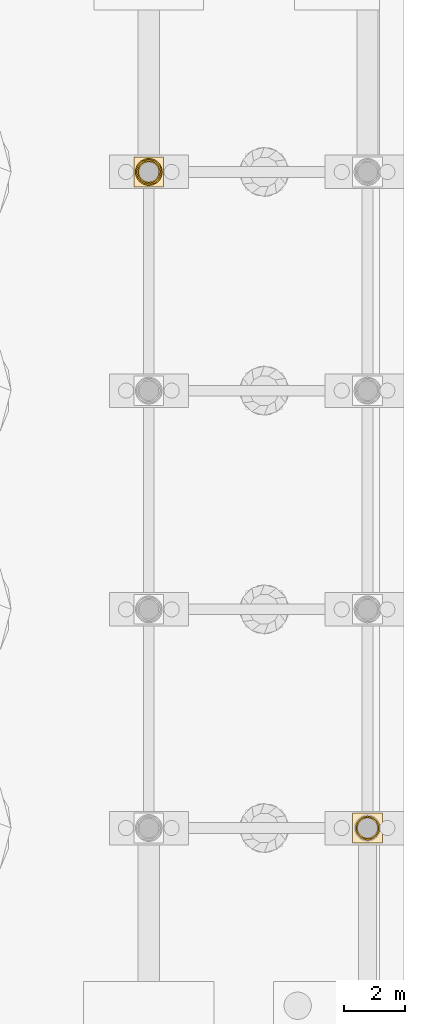
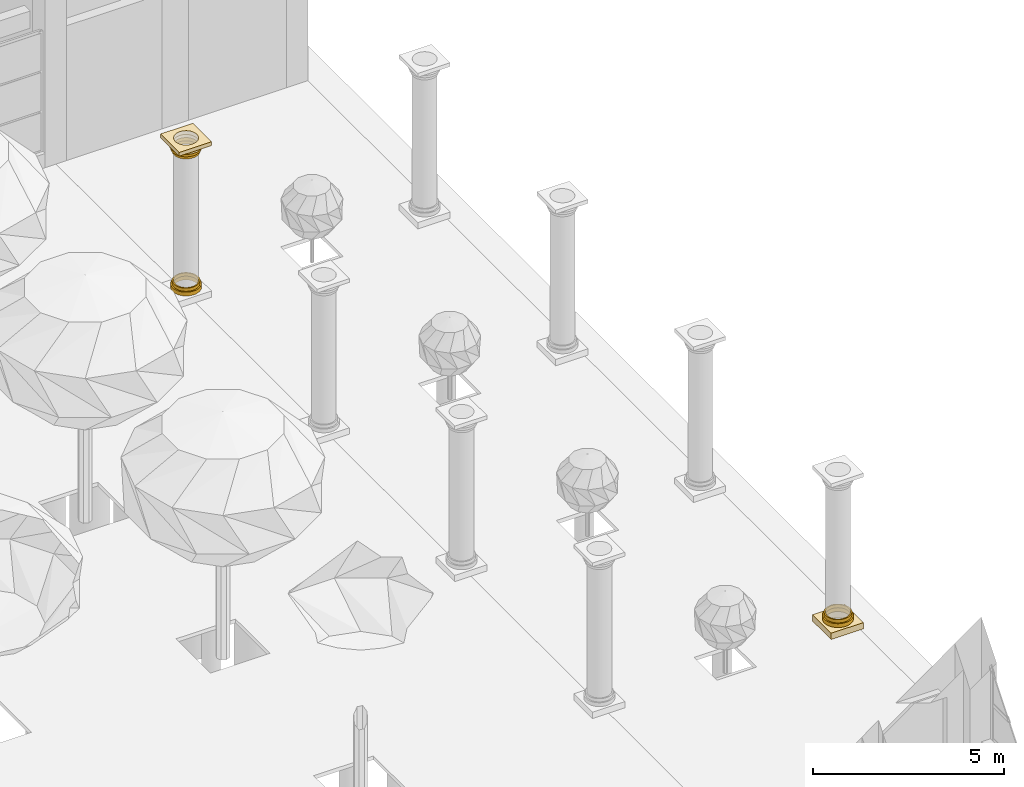
# One storey, part 66 of 80: 9 coverings.
"""IFC4 building model written with IfcOpenShell, lengths in metres."""

import ifcopenshell
import ifcopenshell.guid

model = None  # the IFC model being written
_history = None  # IfcOwnerHistory: only IFC2X3 demands one
_inside = {}  # id of a spatial element -> (the spatial element, [elements in it])
_under = {}  # id of a project, library or spatial element -> (it, [spatial elements below it])
_declared = {}  # id of a project -> (the project, [libraries it declares])
_typed = {}  # id of a type object -> (the type object, [elements of that type])
_made_of = {}  # id of a material, layer set ... -> (it, [elements and type objects made of it])


def new_model(schema):
    """Start an empty IFC model of exactly this schema.

    Asked for "IFC4X3", IfcOpenShell would pick the latest addendum, in which some entities
    have other attributes; the version numbers below select the first issue.
    IFC2X3 requires an IfcOwnerHistory on every rooted entity: one is made here for all.
    """
    global model, _history
    if schema == "IFC4X3":
        model = ifcopenshell.file(schema_version=(4, 3, 0, 0))
    else:
        model = ifcopenshell.file(schema=schema)
    _inside.clear()
    _under.clear()
    _declared.clear()
    _typed.clear()
    _made_of.clear()
    _history = None
    if model.schema == "IFC2X3":
        org = make("IfcOrganization", Name="unknown")
        user = make(
            "IfcPersonAndOrganization",
            ThePerson=make("IfcPerson", FamilyName="unknown"),
            TheOrganization=org,
        )
        app = make(
            "IfcApplication",
            ApplicationDeveloper=org,
            Version="unknown",
            ApplicationFullName="unknown",
            ApplicationIdentifier="unknown",
        )
        _history = make(
            "IfcOwnerHistory",
            OwningUser=user,
            OwningApplication=app,
            ChangeAction="ADDED",
            CreationDate=0,
        )
    return model


def make(cls, **values):
    """One entity of the class cls with the attributes given. An attribute that is None is left unset."""
    return model.create_entity(
        cls, **{name: value for name, value in values.items() if value is not None}
    )


def rooted(cls, **values):
    """An entity with a GlobalId (a new one), such as an element, a storey or a relation."""
    return make(cls, GlobalId=ifcopenshell.guid.new(), OwnerHistory=_history, **values)


def si_unit(unit_type, name, prefix=None):
    """IfcSIUnit, for example si_unit("LENGTHUNIT", "METRE", prefix="MILLI")."""
    return make("IfcSIUnit", UnitType=unit_type, Prefix=prefix, Name=name)


def assignment(units):
    """IfcUnitAssignment: the units of a project."""
    return None if units is None else make("IfcUnitAssignment", Units=units)


def point(xyz):
    """IfcCartesianPoint."""
    return None if xyz is None else make("IfcCartesianPoint", Coordinates=xyz)


def direction(xyz):
    """IfcDirection."""
    return None if xyz is None else make("IfcDirection", DirectionRatios=xyz)


def frame(location, z_axis=None, x_axis=None):
    """IfcAxis2Placement3D, a coordinate frame: its origin and axes. An axis left out is left unset."""
    return make(
        "IfcAxis2Placement3D",
        Location=point(location),
        Axis=direction(z_axis),
        RefDirection=direction(x_axis),
    )


def origin():
    """The frame at (0, 0, 0) with its axes left unset."""
    return frame((0.0, 0.0, 0.0))


def place(relative_to, where):
    """IfcLocalPlacement: puts the frame where relative to a parent placement (None: the world)."""
    return make(
        "IfcLocalPlacement", PlacementRelTo=relative_to, RelativePlacement=where
    )


def context(
    kind, dimensions, precision=None, world=None, true_north=None, identifier=None
):
    """IfcGeometricRepresentationContext, for example the 3D "Model" context."""
    return make(
        "IfcGeometricRepresentationContext",
        ContextIdentifier=identifier,
        ContextType=kind,
        CoordinateSpaceDimension=dimensions,
        Precision=precision,
        WorldCoordinateSystem=world,
        TrueNorth=true_north,
    )


def subcontext(parent, identifier, kind, view, scale=None):
    """IfcGeometricRepresentationSubContext, for example "Body" below "Model"."""
    return make(
        "IfcGeometricRepresentationSubContext",
        ContextIdentifier=identifier,
        ContextType=kind,
        ParentContext=parent,
        TargetScale=scale,
        TargetView=view,
    )


def project(units=None, contexts=None):
    """IfcProject with its units and contexts."""
    return rooted(
        "IfcProject",
        Name="project",
        RepresentationContexts=contexts,
        UnitsInContext=assignment(units),
    )


def spatial(cls, under=None, at=None, **own):
    """A site, building, storey or space (cls), placed at a placement, below another one or the project."""
    s = rooted(cls, ObjectPlacement=at, **own)
    if under is not None:
        _under.setdefault(under.id(), (under, []))[1].append(s)
    return s


def polyline(points):
    """IfcPolyline through the points."""
    return make("IfcPolyline", Points=[point(p) for p in points])


def outline(outer, holes=None, kind="AREA"):
    """IfcArbitraryClosedProfileDef: a profile drawn as a closed curve; with holes, ...WithVoids."""
    if holes is None:
        return make("IfcArbitraryClosedProfileDef", ProfileType=kind, OuterCurve=outer)
    return make(
        "IfcArbitraryProfileDefWithVoids",
        ProfileType=kind,
        OuterCurve=outer,
        InnerCurves=holes,
    )


def extrude(swept, where, along, depth):
    """IfcExtrudedAreaSolid: the profile swept, set in the frame where, extruded along a direction by depth."""
    return make(
        "IfcExtrudedAreaSolid",
        SweptArea=swept,
        Position=where,
        ExtrudedDirection=direction(along),
        Depth=depth,
    )


def shape(context_of_items, identifier, shape_type, items):
    """IfcShapeRepresentation: the items that make up one representation, for example the "Body"."""
    return make(
        "IfcShapeRepresentation",
        ContextOfItems=context_of_items,
        RepresentationIdentifier=identifier,
        RepresentationType=shape_type,
        Items=items,
    )


def material(Name=None, Category=None):
    """IfcMaterial."""
    return make("IfcMaterial", Name=Name, Category=Category)


def made_of(thing, what):
    """Note that an element or type object is made of a material, layer set ...; save() writes the relation."""
    if what is not None:
        _made_of.setdefault(what.id(), (what, []))[1].append(thing)
    return thing


def type_object(cls, material=None, **own):
    """A type object (cls), such as IfcWallType, which elements share."""
    return made_of(rooted(cls, **own), material)


def element(
    cls,
    number,
    at=None,
    inside=None,
    cuts=None,
    type_object=None,
    material=None,
    context=None,
    identifier="Body",
    shape_type=None,
    held_by="IfcProductDefinitionShape",
    body=None,
    shapes=None,
    **own,
):
    """One element of the class cls, such as IfcWall. Its Tag is "e" and its number.

    at: its placement. inside: the storey or other place that contains it. cuts: it is an
    opening in that element (IfcRelVoidsElement). A single representation is given by context,
    identifier, shape_type and body (its items); several are given by shapes. held_by: the class
    of the entity that holds the representations. save() writes the other relations.
    """
    e = rooted(cls, Tag="e%d" % number, ObjectPlacement=at, **own)
    if body is not None:
        shapes = [shape(context, identifier, shape_type, body)]
    if shapes is not None:
        e.Representation = make(held_by, Representations=shapes)
    if inside is not None:
        _inside.setdefault(inside.id(), (inside, []))[1].append(e)
    if cuts is not None:
        rooted(
            "IfcRelVoidsElement", RelatingBuildingElement=cuts, RelatedOpeningElement=e
        )
    if type_object is not None:
        _typed.setdefault(type_object.id(), (type_object, []))[1].append(e)
    return made_of(e, material)


def aggregate(whole, parts):
    """IfcRelAggregates: a whole, such as a stair, and the parts it consists of."""
    return rooted("IfcRelAggregates", RelatingObject=whole, RelatedObjects=parts)


def save(model, path):
    """Write the relations noted so far, then the file.

    IfcRelAggregates (storeys below a building ...), IfcRelContainedInSpatialStructure (elements
    in a storey), IfcRelDefinesByType, IfcRelAssociatesMaterial and IfcRelDeclares: one each for
    every whole, place, type object, material and project.
    """
    for whole, parts in _under.values():
        aggregate(whole, parts)
    for where, things in _inside.values():
        rooted(
            "IfcRelContainedInSpatialStructure",
            RelatedElements=things,
            RelatingStructure=where,
        )
    for kind, things in _typed.values():
        rooted("IfcRelDefinesByType", RelatedObjects=things, RelatingType=kind)
    for what, things in _made_of.values():
        rooted("IfcRelAssociatesMaterial", RelatedObjects=things, RelatingMaterial=what)
    for by, libraries in _declared.values():
        rooted("IfcRelDeclares", RelatingContext=by, RelatedDefinitions=libraries)
    model.write(path)


model = new_model("IFC4")

# Units and contexts
model_context = context("Model", 3, precision=1e-05, world=origin(), true_north=direction((0.0, 1.0)))
body_context = subcontext(model_context, "Body", "Model", "MODEL_VIEW")
ifc_project = project(units=[si_unit("LENGTHUNIT", "METRE"), si_unit("AREAUNIT", "SQUARE_METRE"), si_unit("VOLUMEUNIT", "CUBIC_METRE"), si_unit("PLANEANGLEUNIT", "RADIAN"), si_unit("MASSUNIT", "GRAM", prefix="KILO")], contexts=[model_context])

# Site, building, storey
site_placement = place(None, origin())
site = spatial("IfcSite", under=ifc_project, at=site_placement, CompositionType="ELEMENT")
building_placement = place(site_placement, origin())
building = spatial("IfcBuilding", under=site, at=building_placement, Name="Ussher Court Research Institute", CompositionType="ELEMENT")
storey_placement = place(building_placement, origin())
storey = spatial("IfcBuildingStorey", under=building, at=storey_placement, Name="L00", CompositionType="ELEMENT", Elevation=0.0)

# Coverings
ifc_material_1 = material(Name="Limestone cornice", Category="masonry")
covering_type_1 = type_object("IfcCoveringType", Name="Column abacus 650 975x120", PredefinedType="CLADDING", material=ifc_material_1)
covering_1_placement = place(storey_placement, frame((0.0, 0.0, 4.840087890625)))
element("IfcCovering", 1, at=covering_1_placement, inside=storey, type_object=covering_type_1, Name="Column capital CC26", PredefinedType="CLADDING", context=body_context, shape_type="SweptSolid", body=[
    extrude(outline(polyline([(97.08740234375, 61.112548828125), (97.08740234375, 62.08740234375), (96.112548828125, 62.08740234375), (96.112548828125, 61.112548828125), (97.08740234375, 61.112548828125)]), holes=[polyline([(96.92578125, 61.60009765625), (96.9228515625, 61.642578125), (96.91455078125, 61.684326171875), (96.90087890625, 61.724609375), (96.882080078125, 61.7626953125), (96.8583984375, 61.79833984375), (96.830322265625, 61.830322265625), (96.79833984375, 61.8583984375), (96.7626953125, 61.882080078125), (96.724609375, 61.90087890625), (96.684326171875, 61.91455078125), (96.642578125, 61.9228515625), (96.60009765625, 61.92578125), (96.5576171875, 61.9228515625), (96.515625, 61.91455078125), (96.475341796875, 61.90087890625), (96.437255859375, 61.882080078125), (96.401611328125, 61.8583984375), (96.36962890625, 61.830322265625), (96.341552734375, 61.79833984375), (96.31787109375, 61.7626953125), (96.299072265625, 61.724609375), (96.285400390625, 61.684326171875), (96.277099609375, 61.642578125), (96.2744140625, 61.60009765625), (96.277099609375, 61.5576171875), (96.285400390625, 61.515625), (96.299072265625, 61.475341796875), (96.31787109375, 61.437255859375), (96.341552734375, 61.401611328125), (96.36962890625, 61.36962890625), (96.401611328125, 61.341552734375), (96.437255859375, 61.31787109375), (96.475341796875, 61.299072265625), (96.515625, 61.285400390625), (96.5576171875, 61.277099609375), (96.60009765625, 61.2744140625), (96.642578125, 61.277099609375), (96.684326171875, 61.285400390625), (96.724609375, 61.299072265625), (96.7626953125, 61.31787109375), (96.79833984375, 61.341552734375), (96.830322265625, 61.36962890625), (96.8583984375, 61.401611328125), (96.882080078125, 61.437255859375), (96.90087890625, 61.475341796875), (96.91455078125, 61.515625), (96.9228515625, 61.5576171875), (96.92578125, 61.60009765625)])]), origin(), (0.0, 0.0, 1.0), 0.119873046875),
])
ifc_material_2 = material(Name="Limestone cornice", Category="masonry")
covering_type_2 = type_object("IfcCoveringType", Name="Column base fillet 650 728x100", PredefinedType="CLADDING", material=ifc_material_2)
covering_2_placement = place(storey_placement, frame((0.0, 0.0, 0.320068359375)))
element("IfcCovering", 2, at=covering_2_placement, inside=storey, type_object=covering_type_2, Name="Column base CC22", PredefinedType="CLADDING", context=body_context, shape_type="SweptSolid", body=[
    extrude(outline(polyline([(96.964111328125, 61.60009765625), (96.9609375, 61.6474609375), (96.95166015625, 61.694091796875), (96.936279296875, 61.7392578125), (96.915283203125, 61.781982421875), (96.888916015625, 61.821533203125), (96.857421875, 61.857421875), (96.821533203125, 61.888916015625), (96.781982421875, 61.915283203125), (96.7392578125, 61.936279296875), (96.694091796875, 61.95166015625), (96.6474609375, 61.9609375), (96.60009765625, 61.964111328125), (96.552490234375, 61.9609375), (96.505859375, 61.95166015625), (96.460693359375, 61.936279296875), (96.41796875, 61.915283203125), (96.37841796875, 61.888916015625), (96.342529296875, 61.857421875), (96.311279296875, 61.821533203125), (96.284912109375, 61.781982421875), (96.263671875, 61.7392578125), (96.248291015625, 61.694091796875), (96.239013671875, 61.6474609375), (96.236083984375, 61.60009765625), (96.239013671875, 61.552490234375), (96.248291015625, 61.505859375), (96.263671875, 61.460693359375), (96.284912109375, 61.41796875), (96.311279296875, 61.37841796875), (96.342529296875, 61.342529296875), (96.37841796875, 61.311279296875), (96.41796875, 61.284912109375), (96.460693359375, 61.263671875), (96.505859375, 61.248291015625), (96.552490234375, 61.239013671875), (96.60009765625, 61.236083984375), (96.6474609375, 61.239013671875), (96.694091796875, 61.248291015625), (96.7392578125, 61.263671875), (96.781982421875, 61.284912109375), (96.821533203125, 61.311279296875), (96.857421875, 61.342529296875), (96.888916015625, 61.37841796875), (96.915283203125, 61.41796875), (96.936279296875, 61.460693359375), (96.95166015625, 61.505859375), (96.9609375, 61.552490234375), (96.964111328125, 61.60009765625)]), holes=[polyline([(96.92578125, 61.60009765625), (96.9228515625, 61.642578125), (96.91455078125, 61.684326171875), (96.90087890625, 61.724609375), (96.882080078125, 61.7626953125), (96.8583984375, 61.79833984375), (96.830322265625, 61.830322265625), (96.79833984375, 61.8583984375), (96.7626953125, 61.882080078125), (96.724609375, 61.90087890625), (96.684326171875, 61.91455078125), (96.642578125, 61.9228515625), (96.60009765625, 61.92578125), (96.5576171875, 61.9228515625), (96.515625, 61.91455078125), (96.475341796875, 61.90087890625), (96.437255859375, 61.882080078125), (96.401611328125, 61.8583984375), (96.36962890625, 61.830322265625), (96.341552734375, 61.79833984375), (96.31787109375, 61.7626953125), (96.299072265625, 61.724609375), (96.285400390625, 61.684326171875), (96.277099609375, 61.642578125), (96.2744140625, 61.60009765625), (96.277099609375, 61.5576171875), (96.285400390625, 61.515625), (96.299072265625, 61.475341796875), (96.31787109375, 61.437255859375), (96.341552734375, 61.401611328125), (96.36962890625, 61.36962890625), (96.401611328125, 61.341552734375), (96.437255859375, 61.31787109375), (96.475341796875, 61.299072265625), (96.515625, 61.285400390625), (96.5576171875, 61.277099609375), (96.60009765625, 61.2744140625), (96.642578125, 61.277099609375), (96.684326171875, 61.285400390625), (96.724609375, 61.299072265625), (96.7626953125, 61.31787109375), (96.79833984375, 61.341552734375), (96.830322265625, 61.36962890625), (96.8583984375, 61.401611328125), (96.882080078125, 61.437255859375), (96.90087890625, 61.475341796875), (96.91455078125, 61.515625), (96.9228515625, 61.5576171875), (96.92578125, 61.60009765625)])]), origin(), (0.0, 0.0, 1.0), 0.099853515625),
])
covering_3_placement = place(storey_placement, frame((0.0, 0.0, 0.320068359375)))
element("IfcCovering", 3, at=covering_3_placement, inside=storey, type_object=covering_type_2, Name="Column base CC22", PredefinedType="CLADDING", context=body_context, shape_type="SweptSolid", body=[
    extrude(outline(polyline([(104.1640625, 40.0), (104.160888671875, 40.047607421875), (104.151611328125, 40.09423828125), (104.13623046875, 40.139404296875), (104.115234375, 40.181884765625), (104.0888671875, 40.2216796875), (104.057373046875, 40.25732421875), (104.021484375, 40.288818359375), (103.98193359375, 40.315185546875), (103.939208984375, 40.336181640625), (103.894287109375, 40.3515625), (103.847412109375, 40.36083984375), (103.800048828125, 40.364013671875), (103.75244140625, 40.36083984375), (103.705810546875, 40.3515625), (103.66064453125, 40.336181640625), (103.617919921875, 40.315185546875), (103.578369140625, 40.288818359375), (103.54248046875, 40.25732421875), (103.51123046875, 40.2216796875), (103.48486328125, 40.181884765625), (103.463623046875, 40.139404296875), (103.448486328125, 40.09423828125), (103.439208984375, 40.047607421875), (103.43603515625, 40.0), (103.439208984375, 39.952392578125), (103.448486328125, 39.90576171875), (103.463623046875, 39.860595703125), (103.48486328125, 39.818115234375), (103.51123046875, 39.7783203125), (103.54248046875, 39.74267578125), (103.578369140625, 39.711181640625), (103.617919921875, 39.684814453125), (103.66064453125, 39.663818359375), (103.705810546875, 39.6484375), (103.75244140625, 39.63916015625), (103.800048828125, 39.635986328125), (103.847412109375, 39.63916015625), (103.894287109375, 39.6484375), (103.939208984375, 39.663818359375), (103.98193359375, 39.684814453125), (104.021484375, 39.711181640625), (104.057373046875, 39.74267578125), (104.0888671875, 39.7783203125), (104.115234375, 39.818115234375), (104.13623046875, 39.860595703125), (104.151611328125, 39.90576171875), (104.160888671875, 39.952392578125), (104.1640625, 40.0)]), holes=[polyline([(104.125732421875, 40.0), (104.122802734375, 40.04248046875), (104.114501953125, 40.084228515625), (104.100830078125, 40.12451171875), (104.08203125, 40.162841796875), (104.058349609375, 40.1982421875), (104.0302734375, 40.230224609375), (103.998291015625, 40.25830078125), (103.962890625, 40.281982421875), (103.924560546875, 40.30078125), (103.88427734375, 40.314697265625), (103.842529296875, 40.322998046875), (103.800048828125, 40.32568359375), (103.757568359375, 40.322998046875), (103.7158203125, 40.314697265625), (103.67529296875, 40.30078125), (103.63720703125, 40.281982421875), (103.601806640625, 40.25830078125), (103.569580078125, 40.230224609375), (103.54150390625, 40.1982421875), (103.517822265625, 40.162841796875), (103.4990234375, 40.12451171875), (103.4853515625, 40.084228515625), (103.47705078125, 40.04248046875), (103.474365234375, 40.0), (103.47705078125, 39.95751953125), (103.4853515625, 39.915771484375), (103.4990234375, 39.87548828125), (103.517822265625, 39.837158203125), (103.54150390625, 39.8017578125), (103.569580078125, 39.769775390625), (103.601806640625, 39.74169921875), (103.63720703125, 39.718017578125), (103.67529296875, 39.69921875), (103.7158203125, 39.685302734375), (103.757568359375, 39.677001953125), (103.800048828125, 39.67431640625), (103.842529296875, 39.677001953125), (103.88427734375, 39.685302734375), (103.924560546875, 39.69921875), (103.962890625, 39.718017578125), (103.998291015625, 39.74169921875), (104.0302734375, 39.769775390625), (104.058349609375, 39.8017578125), (104.08203125, 39.837158203125), (104.100830078125, 39.87548828125), (104.114501953125, 39.915771484375), (104.122802734375, 39.95751953125), (104.125732421875, 40.0)])]), origin(), (0.0, 0.0, 1.0), 0.099853515625),
])
ifc_material_3 = material(Name="Limestone cornice", Category="masonry")
covering_type_3 = type_object("IfcCoveringType", Name="Column base torus 650 812x120", PredefinedType="CLADDING", material=ifc_material_3)
covering_4_placement = place(storey_placement, frame((0.0, 0.0, 0.199951171875)))
element("IfcCovering", 4, at=covering_4_placement, inside=storey, type_object=covering_type_3, Name="Column base CC21", PredefinedType="CLADDING", context=body_context, shape_type="SweptSolid", body=[
    extrude(outline(polyline([(97.006103515625, 61.60009765625), (97.002685546875, 61.653076171875), (96.992431640625, 61.705078125), (96.975341796875, 61.75537109375), (96.951904296875, 61.802978515625), (96.92236328125, 61.847412109375), (96.88720703125, 61.88720703125), (96.847412109375, 61.92236328125), (96.802978515625, 61.951904296875), (96.75537109375, 61.975341796875), (96.705078125, 61.992431640625), (96.653076171875, 62.002685546875), (96.60009765625, 62.006103515625), (96.547119140625, 62.002685546875), (96.494873046875, 61.992431640625), (96.444580078125, 61.975341796875), (96.39697265625, 61.951904296875), (96.352783203125, 61.92236328125), (96.312744140625, 61.88720703125), (96.277587890625, 61.847412109375), (96.248291015625, 61.802978515625), (96.224609375, 61.75537109375), (96.20751953125, 61.705078125), (96.197265625, 61.653076171875), (96.19384765625, 61.60009765625), (96.197265625, 61.547119140625), (96.20751953125, 61.494873046875), (96.224609375, 61.444580078125), (96.248291015625, 61.39697265625), (96.277587890625, 61.352783203125), (96.312744140625, 61.312744140625), (96.352783203125, 61.277587890625), (96.39697265625, 61.248291015625), (96.444580078125, 61.224609375), (96.494873046875, 61.20751953125), (96.547119140625, 61.197265625), (96.60009765625, 61.19384765625), (96.653076171875, 61.197265625), (96.705078125, 61.20751953125), (96.75537109375, 61.224609375), (96.802978515625, 61.248291015625), (96.847412109375, 61.277587890625), (96.88720703125, 61.312744140625), (96.92236328125, 61.352783203125), (96.951904296875, 61.39697265625), (96.975341796875, 61.444580078125), (96.992431640625, 61.494873046875), (97.002685546875, 61.547119140625), (97.006103515625, 61.60009765625)]), holes=[polyline([(96.92578125, 61.60009765625), (96.9228515625, 61.642578125), (96.91455078125, 61.684326171875), (96.90087890625, 61.724609375), (96.882080078125, 61.7626953125), (96.8583984375, 61.79833984375), (96.830322265625, 61.830322265625), (96.79833984375, 61.8583984375), (96.7626953125, 61.882080078125), (96.724609375, 61.90087890625), (96.684326171875, 61.91455078125), (96.642578125, 61.9228515625), (96.60009765625, 61.92578125), (96.5576171875, 61.9228515625), (96.515625, 61.91455078125), (96.475341796875, 61.90087890625), (96.437255859375, 61.882080078125), (96.401611328125, 61.8583984375), (96.36962890625, 61.830322265625), (96.341552734375, 61.79833984375), (96.31787109375, 61.7626953125), (96.299072265625, 61.724609375), (96.285400390625, 61.684326171875), (96.277099609375, 61.642578125), (96.2744140625, 61.60009765625), (96.277099609375, 61.5576171875), (96.285400390625, 61.515625), (96.299072265625, 61.475341796875), (96.31787109375, 61.437255859375), (96.341552734375, 61.401611328125), (96.36962890625, 61.36962890625), (96.401611328125, 61.341552734375), (96.437255859375, 61.31787109375), (96.475341796875, 61.299072265625), (96.515625, 61.285400390625), (96.5576171875, 61.277099609375), (96.60009765625, 61.2744140625), (96.642578125, 61.277099609375), (96.684326171875, 61.285400390625), (96.724609375, 61.299072265625), (96.7626953125, 61.31787109375), (96.79833984375, 61.341552734375), (96.830322265625, 61.36962890625), (96.8583984375, 61.401611328125), (96.882080078125, 61.437255859375), (96.90087890625, 61.475341796875), (96.91455078125, 61.515625), (96.9228515625, 61.5576171875), (96.92578125, 61.60009765625)])]), origin(), (0.0, 0.0, 1.0), 0.1201171875),
])
covering_5_placement = place(storey_placement, frame((0.0, 0.0, 0.199951171875)))
element("IfcCovering", 5, at=covering_5_placement, inside=storey, type_object=covering_type_3, Name="Column base CC21", PredefinedType="CLADDING", context=body_context, shape_type="SweptSolid", body=[
    extrude(outline(polyline([(104.206298828125, 40.0), (104.20263671875, 40.052978515625), (104.1923828125, 40.10498046875), (104.17529296875, 40.155517578125), (104.15185546875, 40.203125), (104.122314453125, 40.247314453125), (104.087158203125, 40.287109375), (104.04736328125, 40.322265625), (104.003173828125, 40.351806640625), (103.955322265625, 40.375244140625), (103.905029296875, 40.392333984375), (103.85302734375, 40.402587890625), (103.800048828125, 40.40625), (103.7470703125, 40.402587890625), (103.69482421875, 40.392333984375), (103.64453125, 40.375244140625), (103.596923828125, 40.351806640625), (103.552734375, 40.322265625), (103.5126953125, 40.287109375), (103.477783203125, 40.247314453125), (103.4482421875, 40.203125), (103.4248046875, 40.155517578125), (103.40771484375, 40.10498046875), (103.397216796875, 40.052978515625), (103.393798828125, 40.0), (103.397216796875, 39.947021484375), (103.40771484375, 39.89501953125), (103.4248046875, 39.844482421875), (103.4482421875, 39.796875), (103.477783203125, 39.752685546875), (103.5126953125, 39.712890625), (103.552734375, 39.677734375), (103.596923828125, 39.648193359375), (103.64453125, 39.624755859375), (103.69482421875, 39.607666015625), (103.7470703125, 39.597412109375), (103.800048828125, 39.59375), (103.85302734375, 39.597412109375), (103.905029296875, 39.607666015625), (103.955322265625, 39.624755859375), (104.003173828125, 39.648193359375), (104.04736328125, 39.677734375), (104.087158203125, 39.712890625), (104.122314453125, 39.752685546875), (104.15185546875, 39.796875), (104.17529296875, 39.844482421875), (104.1923828125, 39.89501953125), (104.20263671875, 39.947021484375), (104.206298828125, 40.0)]), holes=[polyline([(104.125732421875, 40.0), (104.122802734375, 40.04248046875), (104.114501953125, 40.084228515625), (104.100830078125, 40.12451171875), (104.08203125, 40.162841796875), (104.058349609375, 40.1982421875), (104.0302734375, 40.230224609375), (103.998291015625, 40.25830078125), (103.962890625, 40.281982421875), (103.924560546875, 40.30078125), (103.88427734375, 40.314697265625), (103.842529296875, 40.322998046875), (103.800048828125, 40.32568359375), (103.757568359375, 40.322998046875), (103.7158203125, 40.314697265625), (103.67529296875, 40.30078125), (103.63720703125, 40.281982421875), (103.601806640625, 40.25830078125), (103.569580078125, 40.230224609375), (103.54150390625, 40.1982421875), (103.517822265625, 40.162841796875), (103.4990234375, 40.12451171875), (103.4853515625, 40.084228515625), (103.47705078125, 40.04248046875), (103.474365234375, 40.0), (103.47705078125, 39.95751953125), (103.4853515625, 39.915771484375), (103.4990234375, 39.87548828125), (103.517822265625, 39.837158203125), (103.54150390625, 39.8017578125), (103.569580078125, 39.769775390625), (103.601806640625, 39.74169921875), (103.63720703125, 39.718017578125), (103.67529296875, 39.69921875), (103.7158203125, 39.685302734375), (103.757568359375, 39.677001953125), (103.800048828125, 39.67431640625), (103.842529296875, 39.677001953125), (103.88427734375, 39.685302734375), (103.924560546875, 39.69921875), (103.962890625, 39.718017578125), (103.998291015625, 39.74169921875), (104.0302734375, 39.769775390625), (104.058349609375, 39.8017578125), (104.08203125, 39.837158203125), (104.100830078125, 39.87548828125), (104.114501953125, 39.915771484375), (104.122802734375, 39.95751953125), (104.125732421875, 40.0)])]), origin(), (0.0, 0.0, 1.0), 0.1201171875),
])
ifc_material_4 = material(Name="Limestone cornice", Category="masonry")
covering_type_4 = type_object("IfcCoveringType", Name="Column capital echinus 650 812x100", PredefinedType="CLADDING", material=ifc_material_4)
covering_6_placement = place(storey_placement, frame((0.0, 0.0, 4.639892578125)))
element("IfcCovering", 6, at=covering_6_placement, inside=storey, type_object=covering_type_4, Name="Column capital CC24", PredefinedType="CLADDING", context=body_context, shape_type="SweptSolid", body=[
    extrude(outline(polyline([(97.006103515625, 61.60009765625), (97.002685546875, 61.653076171875), (96.992431640625, 61.705078125), (96.975341796875, 61.75537109375), (96.951904296875, 61.802978515625), (96.92236328125, 61.847412109375), (96.88720703125, 61.88720703125), (96.847412109375, 61.92236328125), (96.802978515625, 61.951904296875), (96.75537109375, 61.975341796875), (96.705078125, 61.992431640625), (96.653076171875, 62.002685546875), (96.60009765625, 62.006103515625), (96.547119140625, 62.002685546875), (96.494873046875, 61.992431640625), (96.444580078125, 61.975341796875), (96.39697265625, 61.951904296875), (96.352783203125, 61.92236328125), (96.312744140625, 61.88720703125), (96.277587890625, 61.847412109375), (96.248291015625, 61.802978515625), (96.224609375, 61.75537109375), (96.20751953125, 61.705078125), (96.197265625, 61.653076171875), (96.19384765625, 61.60009765625), (96.197265625, 61.547119140625), (96.20751953125, 61.494873046875), (96.224609375, 61.444580078125), (96.248291015625, 61.39697265625), (96.277587890625, 61.352783203125), (96.312744140625, 61.312744140625), (96.352783203125, 61.277587890625), (96.39697265625, 61.248291015625), (96.444580078125, 61.224609375), (96.494873046875, 61.20751953125), (96.547119140625, 61.197265625), (96.60009765625, 61.19384765625), (96.653076171875, 61.197265625), (96.705078125, 61.20751953125), (96.75537109375, 61.224609375), (96.802978515625, 61.248291015625), (96.847412109375, 61.277587890625), (96.88720703125, 61.312744140625), (96.92236328125, 61.352783203125), (96.951904296875, 61.39697265625), (96.975341796875, 61.444580078125), (96.992431640625, 61.494873046875), (97.002685546875, 61.547119140625), (97.006103515625, 61.60009765625)]), holes=[polyline([(96.92578125, 61.60009765625), (96.9228515625, 61.642578125), (96.91455078125, 61.684326171875), (96.90087890625, 61.724609375), (96.882080078125, 61.7626953125), (96.8583984375, 61.79833984375), (96.830322265625, 61.830322265625), (96.79833984375, 61.8583984375), (96.7626953125, 61.882080078125), (96.724609375, 61.90087890625), (96.684326171875, 61.91455078125), (96.642578125, 61.9228515625), (96.60009765625, 61.92578125), (96.5576171875, 61.9228515625), (96.515625, 61.91455078125), (96.475341796875, 61.90087890625), (96.437255859375, 61.882080078125), (96.401611328125, 61.8583984375), (96.36962890625, 61.830322265625), (96.341552734375, 61.79833984375), (96.31787109375, 61.7626953125), (96.299072265625, 61.724609375), (96.285400390625, 61.684326171875), (96.277099609375, 61.642578125), (96.2744140625, 61.60009765625), (96.277099609375, 61.5576171875), (96.285400390625, 61.515625), (96.299072265625, 61.475341796875), (96.31787109375, 61.437255859375), (96.341552734375, 61.401611328125), (96.36962890625, 61.36962890625), (96.401611328125, 61.341552734375), (96.437255859375, 61.31787109375), (96.475341796875, 61.299072265625), (96.515625, 61.285400390625), (96.5576171875, 61.277099609375), (96.60009765625, 61.2744140625), (96.642578125, 61.277099609375), (96.684326171875, 61.285400390625), (96.724609375, 61.299072265625), (96.7626953125, 61.31787109375), (96.79833984375, 61.341552734375), (96.830322265625, 61.36962890625), (96.8583984375, 61.401611328125), (96.882080078125, 61.437255859375), (96.90087890625, 61.475341796875), (96.91455078125, 61.515625), (96.9228515625, 61.5576171875), (96.92578125, 61.60009765625)])]), origin(), (0.0, 0.0, 1.0), 0.10009765625),
])
ifc_material_5 = material(Name="Limestone cornice", Category="masonry")
covering_type_5 = type_object("IfcCoveringType", Name="Column capital neck 650 728x100", PredefinedType="CLADDING", material=ifc_material_5)
covering_7_placement = place(storey_placement, frame((0.0, 0.0, 4.5400390625)))
element("IfcCovering", 7, at=covering_7_placement, inside=storey, type_object=covering_type_5, Name="Column capital CC23", PredefinedType="CLADDING", context=body_context, shape_type="SweptSolid", body=[
    extrude(outline(polyline([(96.964111328125, 61.60009765625), (96.9609375, 61.6474609375), (96.95166015625, 61.694091796875), (96.936279296875, 61.7392578125), (96.915283203125, 61.781982421875), (96.888916015625, 61.821533203125), (96.857421875, 61.857421875), (96.821533203125, 61.888916015625), (96.781982421875, 61.915283203125), (96.7392578125, 61.936279296875), (96.694091796875, 61.95166015625), (96.6474609375, 61.9609375), (96.60009765625, 61.964111328125), (96.552490234375, 61.9609375), (96.505859375, 61.95166015625), (96.460693359375, 61.936279296875), (96.41796875, 61.915283203125), (96.37841796875, 61.888916015625), (96.342529296875, 61.857421875), (96.311279296875, 61.821533203125), (96.284912109375, 61.781982421875), (96.263671875, 61.7392578125), (96.248291015625, 61.694091796875), (96.239013671875, 61.6474609375), (96.236083984375, 61.60009765625), (96.239013671875, 61.552490234375), (96.248291015625, 61.505859375), (96.263671875, 61.460693359375), (96.284912109375, 61.41796875), (96.311279296875, 61.37841796875), (96.342529296875, 61.342529296875), (96.37841796875, 61.311279296875), (96.41796875, 61.284912109375), (96.460693359375, 61.263671875), (96.505859375, 61.248291015625), (96.552490234375, 61.239013671875), (96.60009765625, 61.236083984375), (96.6474609375, 61.239013671875), (96.694091796875, 61.248291015625), (96.7392578125, 61.263671875), (96.781982421875, 61.284912109375), (96.821533203125, 61.311279296875), (96.857421875, 61.342529296875), (96.888916015625, 61.37841796875), (96.915283203125, 61.41796875), (96.936279296875, 61.460693359375), (96.95166015625, 61.505859375), (96.9609375, 61.552490234375), (96.964111328125, 61.60009765625)]), holes=[polyline([(96.92578125, 61.60009765625), (96.9228515625, 61.642578125), (96.91455078125, 61.684326171875), (96.90087890625, 61.724609375), (96.882080078125, 61.7626953125), (96.8583984375, 61.79833984375), (96.830322265625, 61.830322265625), (96.79833984375, 61.8583984375), (96.7626953125, 61.882080078125), (96.724609375, 61.90087890625), (96.684326171875, 61.91455078125), (96.642578125, 61.9228515625), (96.60009765625, 61.92578125), (96.5576171875, 61.9228515625), (96.515625, 61.91455078125), (96.475341796875, 61.90087890625), (96.437255859375, 61.882080078125), (96.401611328125, 61.8583984375), (96.36962890625, 61.830322265625), (96.341552734375, 61.79833984375), (96.31787109375, 61.7626953125), (96.299072265625, 61.724609375), (96.285400390625, 61.684326171875), (96.277099609375, 61.642578125), (96.2744140625, 61.60009765625), (96.277099609375, 61.5576171875), (96.285400390625, 61.515625), (96.299072265625, 61.475341796875), (96.31787109375, 61.437255859375), (96.341552734375, 61.401611328125), (96.36962890625, 61.36962890625), (96.401611328125, 61.341552734375), (96.437255859375, 61.31787109375), (96.475341796875, 61.299072265625), (96.515625, 61.285400390625), (96.5576171875, 61.277099609375), (96.60009765625, 61.2744140625), (96.642578125, 61.277099609375), (96.684326171875, 61.285400390625), (96.724609375, 61.299072265625), (96.7626953125, 61.31787109375), (96.79833984375, 61.341552734375), (96.830322265625, 61.36962890625), (96.8583984375, 61.401611328125), (96.882080078125, 61.437255859375), (96.90087890625, 61.475341796875), (96.91455078125, 61.515625), (96.9228515625, 61.5576171875), (96.92578125, 61.60009765625)])]), origin(), (0.0, 0.0, 1.0), 0.099853515625),
])
ifc_material_6 = material(Name="Limestone cornice", Category="masonry")
covering_type_6 = type_object("IfcCoveringType", Name="Column capital ovolo 650 884x100", PredefinedType="CLADDING", material=ifc_material_6)
covering_8_placement = place(storey_placement, frame((0.0, 0.0, 4.739990234375)))
element("IfcCovering", 8, at=covering_8_placement, inside=storey, type_object=covering_type_6, Name="Column capital CC25", PredefinedType="CLADDING", context=body_context, shape_type="SweptSolid", body=[
    extrude(outline(polyline([(97.0419921875, 61.60009765625), (97.0380859375, 61.65771484375), (97.02685546875, 61.71435546875), (97.00830078125, 61.76904296875), (96.98291015625, 61.821044921875), (96.95068359375, 61.869140625), (96.91259765625, 61.91259765625), (96.869140625, 61.95068359375), (96.821044921875, 61.98291015625), (96.76904296875, 62.00830078125), (96.71435546875, 62.02685546875), (96.65771484375, 62.0380859375), (96.60009765625, 62.0419921875), (96.542236328125, 62.0380859375), (96.485595703125, 62.02685546875), (96.430908203125, 62.00830078125), (96.37890625, 61.98291015625), (96.330810546875, 61.95068359375), (96.28759765625, 61.91259765625), (96.249267578125, 61.869140625), (96.21728515625, 61.821044921875), (96.191650390625, 61.76904296875), (96.173095703125, 61.71435546875), (96.161865234375, 61.65771484375), (96.157958984375, 61.60009765625), (96.161865234375, 61.542236328125), (96.173095703125, 61.485595703125), (96.191650390625, 61.430908203125), (96.21728515625, 61.37890625), (96.249267578125, 61.330810546875), (96.28759765625, 61.28759765625), (96.330810546875, 61.249267578125), (96.37890625, 61.21728515625), (96.430908203125, 61.191650390625), (96.485595703125, 61.173095703125), (96.542236328125, 61.161865234375), (96.60009765625, 61.157958984375), (96.65771484375, 61.161865234375), (96.71435546875, 61.173095703125), (96.76904296875, 61.191650390625), (96.821044921875, 61.21728515625), (96.869140625, 61.249267578125), (96.91259765625, 61.28759765625), (96.95068359375, 61.330810546875), (96.98291015625, 61.37890625), (97.00830078125, 61.430908203125), (97.02685546875, 61.485595703125), (97.0380859375, 61.542236328125), (97.0419921875, 61.60009765625)]), holes=[polyline([(96.92578125, 61.60009765625), (96.9228515625, 61.642578125), (96.91455078125, 61.684326171875), (96.90087890625, 61.724609375), (96.882080078125, 61.7626953125), (96.8583984375, 61.79833984375), (96.830322265625, 61.830322265625), (96.79833984375, 61.8583984375), (96.7626953125, 61.882080078125), (96.724609375, 61.90087890625), (96.684326171875, 61.91455078125), (96.642578125, 61.9228515625), (96.60009765625, 61.92578125), (96.5576171875, 61.9228515625), (96.515625, 61.91455078125), (96.475341796875, 61.90087890625), (96.437255859375, 61.882080078125), (96.401611328125, 61.8583984375), (96.36962890625, 61.830322265625), (96.341552734375, 61.79833984375), (96.31787109375, 61.7626953125), (96.299072265625, 61.724609375), (96.285400390625, 61.684326171875), (96.277099609375, 61.642578125), (96.2744140625, 61.60009765625), (96.277099609375, 61.5576171875), (96.285400390625, 61.515625), (96.299072265625, 61.475341796875), (96.31787109375, 61.437255859375), (96.341552734375, 61.401611328125), (96.36962890625, 61.36962890625), (96.401611328125, 61.341552734375), (96.437255859375, 61.31787109375), (96.475341796875, 61.299072265625), (96.515625, 61.285400390625), (96.5576171875, 61.277099609375), (96.60009765625, 61.2744140625), (96.642578125, 61.277099609375), (96.684326171875, 61.285400390625), (96.724609375, 61.299072265625), (96.7626953125, 61.31787109375), (96.79833984375, 61.341552734375), (96.830322265625, 61.36962890625), (96.8583984375, 61.401611328125), (96.882080078125, 61.437255859375), (96.90087890625, 61.475341796875), (96.91455078125, 61.515625), (96.9228515625, 61.5576171875), (96.92578125, 61.60009765625)])]), origin(), (0.0, 0.0, 1.0), 0.10009765625),
])
ifc_material_7 = material(Name="Limestone cornice", Category="masonry")
covering_type_7 = type_object("IfcCoveringType", Name="Column plinth 650 975x200", PredefinedType="CLADDING", material=ifc_material_7)
covering_9_placement = place(storey_placement, origin())
element("IfcCovering", 9, at=covering_9_placement, inside=storey, type_object=covering_type_7, Name="Column base CC20", PredefinedType="CLADDING", context=body_context, shape_type="SweptSolid", body=[
    extrude(outline(polyline([(104.28759765625, 39.512451171875), (104.28759765625, 40.487548828125), (103.3125, 40.487548828125), (103.3125, 39.512451171875), (104.28759765625, 39.512451171875)]), holes=[polyline([(104.125732421875, 40.0), (104.122802734375, 40.04248046875), (104.114501953125, 40.084228515625), (104.100830078125, 40.12451171875), (104.08203125, 40.162841796875), (104.058349609375, 40.1982421875), (104.0302734375, 40.230224609375), (103.998291015625, 40.25830078125), (103.962890625, 40.281982421875), (103.924560546875, 40.30078125), (103.88427734375, 40.314697265625), (103.842529296875, 40.322998046875), (103.800048828125, 40.32568359375), (103.757568359375, 40.322998046875), (103.7158203125, 40.314697265625), (103.67529296875, 40.30078125), (103.63720703125, 40.281982421875), (103.601806640625, 40.25830078125), (103.569580078125, 40.230224609375), (103.54150390625, 40.1982421875), (103.517822265625, 40.162841796875), (103.4990234375, 40.12451171875), (103.4853515625, 40.084228515625), (103.47705078125, 40.04248046875), (103.474365234375, 40.0), (103.47705078125, 39.95751953125), (103.4853515625, 39.915771484375), (103.4990234375, 39.87548828125), (103.517822265625, 39.837158203125), (103.54150390625, 39.8017578125), (103.569580078125, 39.769775390625), (103.601806640625, 39.74169921875), (103.63720703125, 39.718017578125), (103.67529296875, 39.69921875), (103.7158203125, 39.685302734375), (103.757568359375, 39.677001953125), (103.800048828125, 39.67431640625), (103.842529296875, 39.677001953125), (103.88427734375, 39.685302734375), (103.924560546875, 39.69921875), (103.962890625, 39.718017578125), (103.998291015625, 39.74169921875), (104.0302734375, 39.769775390625), (104.058349609375, 39.8017578125), (104.08203125, 39.837158203125), (104.100830078125, 39.87548828125), (104.114501953125, 39.915771484375), (104.122802734375, 39.95751953125), (104.125732421875, 40.0)])]), origin(), (0.0, 0.0, 1.0), 0.199951171875),
])

save(model, "model.ifc")
